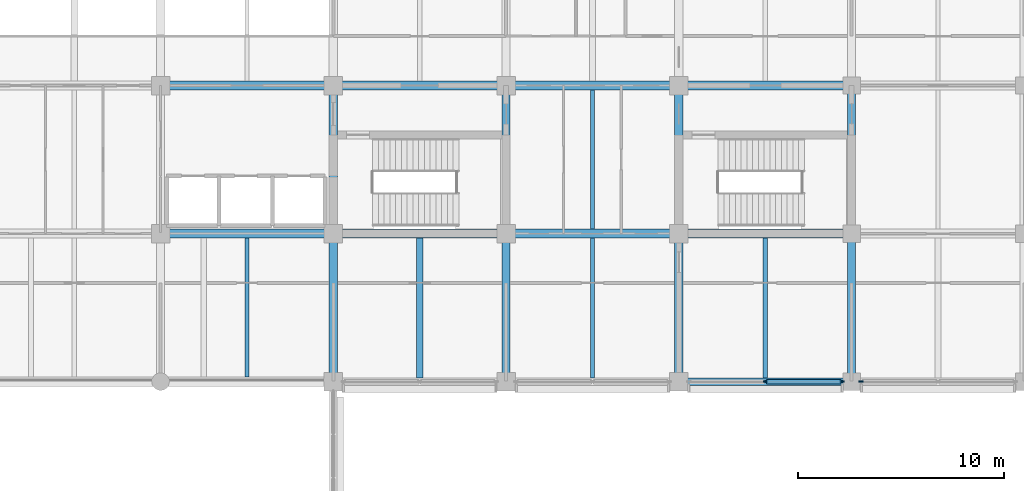
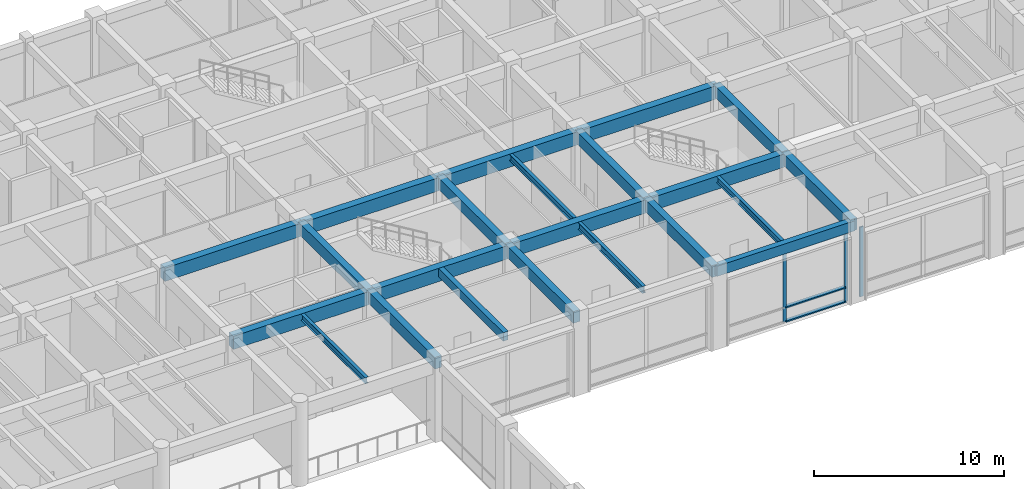
# One storey, part 17 of 68: 22 beams, 6 members, 2 elements without a shape of their own.
"""IFC4 building model written with IfcOpenShell, lengths in metres."""

from ifc_helpers import new_model, si_unit, direction, frame, origin, origin_2d, place, context, subcontext, project, spatial, rectangle, i_section, extrude, material, layer, layer_set, material_profile, profile_set, type_object, element, aggregate, save


model = new_model("IFC4")

# Units and contexts
model_context = context("Model", 3, precision=1e-05, world=origin(), true_north=direction((0.0, 1.0)))
body_context = subcontext(model_context, "Body", "Model", "MODEL_VIEW")
ifc_project = project(units=[si_unit("LENGTHUNIT", "METRE"), si_unit("AREAUNIT", "SQUARE_METRE"), si_unit("VOLUMEUNIT", "CUBIC_METRE"), si_unit("PLANEANGLEUNIT", "RADIAN"), si_unit("MASSUNIT", "GRAM", prefix="KILO")], contexts=[model_context])

# Site, building, storey
site_placement = place(None, origin())
site = spatial("IfcSite", under=ifc_project, at=site_placement, CompositionType="ELEMENT")
building_placement = place(site_placement, origin())
building = spatial("IfcBuilding", under=site, at=building_placement, Name="Chengyuan Square Courthouse", CompositionType="ELEMENT")
storey_placement = place(building_placement, frame((0.0, 0.0, 5.39990234375)))
storey = spatial("IfcBuildingStorey", under=building, at=storey_placement, Name="L02", CompositionType="ELEMENT", Elevation=5.39990234375)

# Beams
ifc_material_1 = material(Name="Concrete C40", Category="concrete")
ifc_material_profile_1 = material_profile(ifc_material_1, rectangle(XDim=0.449951171875, YDim=0.85009765625, at=origin_2d()), Name="RC-BM-450x850")
ifc_profile_set_1 = profile_set([ifc_material_profile_1], Name="Concrete C40")
beam_type_1 = type_object("IfcBeamType", Name="BM-01", PredefinedType="USERDEFINED", material=ifc_profile_set_1)
beam_1_placement = place(storey_placement, frame((92.39990234375, 86.39990234375, 4.695068359375), z_axis=(1.0, 0.0, 0.0), x_axis=(0.0, 1.0, 0.0)))
element("IfcBeam", 1, at=beam_1_placement, inside=storey, type_object=beam_type_1, Name="Girder BM-L02-2150", ObjectType="GIRDER", PredefinedType="USERDEFINED", context=body_context, shape_type="SweptSolid", body=[
    extrude(rectangle(XDim=0.449951171875, YDim=0.85009765625, at=origin_2d()), origin(), (0.0, 0.0, 1.0), 8.400146484375),
])
beam_2_placement = place(storey_placement, frame((100.800048828125, 86.39990234375, 4.695068359375), z_axis=(1.0, 0.0, 0.0), x_axis=(0.0, 1.0, 0.0)))
element("IfcBeam", 2, at=beam_2_placement, inside=storey, type_object=beam_type_1, Name="Girder BM-L02-2151", ObjectType="GIRDER", PredefinedType="USERDEFINED", context=body_context, shape_type="SweptSolid", body=[
    extrude(rectangle(XDim=0.449951171875, YDim=0.85009765625, at=origin_2d()), origin(), (0.0, 0.0, 1.0), 8.39990234375),
])
beam_3_placement = place(storey_placement, frame((109.199951171875, 86.39990234375, 4.695068359375), z_axis=(1.0, 0.0, 0.0), x_axis=(0.0, 1.0, 0.0)))
element("IfcBeam", 3, at=beam_3_placement, inside=storey, type_object=beam_type_1, Name="Girder BM-L02-2152", ObjectType="GIRDER", PredefinedType="USERDEFINED", context=body_context, shape_type="SweptSolid", body=[
    extrude(rectangle(XDim=0.449951171875, YDim=0.85009765625, at=origin_2d()), origin(), (0.0, 0.0, 1.0), 8.400146484375),
])
beam_4_placement = place(storey_placement, frame((117.60009765625, 86.39990234375, 4.695068359375), z_axis=(1.0, 0.0, 0.0), x_axis=(0.0, 1.0, 0.0)))
element("IfcBeam", 4, at=beam_4_placement, inside=storey, type_object=beam_type_1, Name="Girder BM-L02-2153", ObjectType="GIRDER", PredefinedType="USERDEFINED", context=body_context, shape_type="SweptSolid", body=[
    extrude(rectangle(XDim=0.449951171875, YDim=0.85009765625, at=origin_2d()), origin(), (0.0, 0.0, 1.0), 8.39990234375),
])
beam_5_placement = place(storey_placement, frame((92.39990234375, 93.60009765625, 4.695068359375), z_axis=(1.0, 0.0, 0.0), x_axis=(0.0, 1.0, 0.0)))
element("IfcBeam", 5, at=beam_5_placement, inside=storey, type_object=beam_type_1, Name="Girder BM-L02-2170", ObjectType="GIRDER", PredefinedType="USERDEFINED", context=body_context, shape_type="SweptSolid", body=[
    extrude(rectangle(XDim=0.449951171875, YDim=0.85009765625, at=origin_2d()), origin(), (0.0, 0.0, 1.0), 8.400146484375),
])
beam_6_placement = place(storey_placement, frame((100.800048828125, 93.60009765625, 4.695068359375), z_axis=(1.0, 0.0, 0.0), x_axis=(0.0, 1.0, 0.0)))
element("IfcBeam", 6, at=beam_6_placement, inside=storey, type_object=beam_type_1, Name="Girder BM-L02-2171", ObjectType="GIRDER", PredefinedType="USERDEFINED", context=body_context, shape_type="SweptSolid", body=[
    extrude(rectangle(XDim=0.449951171875, YDim=0.85009765625, at=origin_2d()), origin(), (0.0, 0.0, 1.0), 8.39990234375),
])
beam_7_placement = place(storey_placement, frame((109.199951171875, 93.60009765625, 4.695068359375), z_axis=(1.0, 0.0, 0.0), x_axis=(0.0, 1.0, 0.0)))
element("IfcBeam", 7, at=beam_7_placement, inside=storey, type_object=beam_type_1, Name="Girder BM-L02-2172", ObjectType="GIRDER", PredefinedType="USERDEFINED", context=body_context, shape_type="SweptSolid", body=[
    extrude(rectangle(XDim=0.449951171875, YDim=0.85009765625, at=origin_2d()), origin(), (0.0, 0.0, 1.0), 8.400146484375),
])
beam_8_placement = place(storey_placement, frame((117.60009765625, 93.60009765625, 4.695068359375), z_axis=(1.0, 0.0, 0.0), x_axis=(0.0, 1.0, 0.0)))
element("IfcBeam", 8, at=beam_8_placement, inside=storey, type_object=beam_type_1, Name="Girder BM-L02-2173", ObjectType="GIRDER", PredefinedType="USERDEFINED", context=body_context, shape_type="SweptSolid", body=[
    extrude(rectangle(XDim=0.449951171875, YDim=0.85009765625, at=origin_2d()), origin(), (0.0, 0.0, 1.0), 8.39990234375),
])
ifc_material_profile_2 = material_profile(ifc_material_1, rectangle(XDim=0.39990234375, YDim=0.75, at=origin_2d()), Name="RC-BM-400x750")
ifc_profile_set_2 = profile_set([ifc_material_profile_2], Name="Concrete C40")
beam_type_2 = type_object("IfcBeamType", Name="BM-02", PredefinedType="USERDEFINED", material=ifc_profile_set_2)
beam_9_placement = place(storey_placement, frame((100.800048828125, 79.199951171875, 4.7451171875), z_axis=(0.0, 1.0, 0.0), x_axis=(-1.0, 0.0, 0.0)))
element("IfcBeam", 9, at=beam_9_placement, inside=storey, type_object=beam_type_2, Name="Girder BM-L02-2318", ObjectType="GIRDER", PredefinedType="USERDEFINED", context=body_context, shape_type="SweptSolid", body=[
    extrude(rectangle(XDim=0.39990234375, YDim=0.75, at=origin_2d()), origin(), (0.0, 0.0, 1.0), 7.199951171875),
])
beam_10_placement = place(storey_placement, frame((100.800048828125, 86.39990234375, 4.7451171875), z_axis=(0.0, 1.0, 0.0), x_axis=(-1.0, 0.0, 0.0)))
element("IfcBeam", 10, at=beam_10_placement, inside=storey, type_object=beam_type_2, Name="Girder BM-L02-2319", ObjectType="GIRDER", PredefinedType="USERDEFINED", context=body_context, shape_type="SweptSolid", body=[
    extrude(rectangle(XDim=0.39990234375, YDim=0.75, at=origin_2d()), origin(), (0.0, 0.0, 1.0), 7.2001953125),
])
beam_11_placement = place(storey_placement, frame((109.199951171875, 79.199951171875, 4.7451171875), z_axis=(0.0, 1.0, 0.0), x_axis=(-1.0, 0.0, 0.0)))
element("IfcBeam", 11, at=beam_11_placement, inside=storey, type_object=beam_type_2, Name="Girder BM-L02-2323", ObjectType="GIRDER", PredefinedType="USERDEFINED", context=body_context, shape_type="SweptSolid", body=[
    extrude(rectangle(XDim=0.39990234375, YDim=0.75, at=origin_2d()), origin(), (0.0, 0.0, 1.0), 7.199951171875),
])
beam_12_placement = place(storey_placement, frame((109.199951171875, 86.39990234375, 4.7451171875), z_axis=(0.0, 1.0, 0.0), x_axis=(-1.0, 0.0, 0.0)))
element("IfcBeam", 12, at=beam_12_placement, inside=storey, type_object=beam_type_2, Name="Girder BM-L02-2324", ObjectType="GIRDER", PredefinedType="USERDEFINED", context=body_context, shape_type="SweptSolid", body=[
    extrude(rectangle(XDim=0.39990234375, YDim=0.75, at=origin_2d()), origin(), (0.0, 0.0, 1.0), 7.2001953125),
])
beam_13_placement = place(storey_placement, frame((117.60009765625, 79.199951171875, 4.7451171875), z_axis=(0.0, 1.0, 0.0), x_axis=(-1.0, 0.0, 0.0)))
element("IfcBeam", 13, at=beam_13_placement, inside=storey, type_object=beam_type_2, Name="Girder BM-L02-2328", ObjectType="GIRDER", PredefinedType="USERDEFINED", context=body_context, shape_type="SweptSolid", body=[
    extrude(rectangle(XDim=0.39990234375, YDim=0.75, at=origin_2d()), origin(), (0.0, 0.0, 1.0), 7.199951171875),
])
beam_14_placement = place(storey_placement, frame((117.60009765625, 86.39990234375, 4.7451171875), z_axis=(0.0, 1.0, 0.0), x_axis=(-1.0, 0.0, 0.0)))
element("IfcBeam", 14, at=beam_14_placement, inside=storey, type_object=beam_type_2, Name="Girder BM-L02-2329", ObjectType="GIRDER", PredefinedType="USERDEFINED", context=body_context, shape_type="SweptSolid", body=[
    extrude(rectangle(XDim=0.39990234375, YDim=0.75, at=origin_2d()), origin(), (0.0, 0.0, 1.0), 7.2001953125),
])
beam_15_placement = place(storey_placement, frame((126.0, 79.199951171875, 4.7451171875), z_axis=(0.0, 1.0, 0.0), x_axis=(-1.0, 0.0, 0.0)))
element("IfcBeam", 15, at=beam_15_placement, inside=storey, type_object=beam_type_2, Name="Girder BM-L02-2333", ObjectType="GIRDER", PredefinedType="USERDEFINED", context=body_context, shape_type="SweptSolid", body=[
    extrude(rectangle(XDim=0.39990234375, YDim=0.75, at=origin_2d()), origin(), (0.0, 0.0, 1.0), 7.199951171875),
])
beam_16_placement = place(storey_placement, frame((126.0, 86.39990234375, 4.7451171875), z_axis=(0.0, 1.0, 0.0), x_axis=(-1.0, 0.0, 0.0)))
element("IfcBeam", 16, at=beam_16_placement, inside=storey, type_object=beam_type_2, Name="Girder BM-L02-2334", ObjectType="GIRDER", PredefinedType="USERDEFINED", context=body_context, shape_type="SweptSolid", body=[
    extrude(rectangle(XDim=0.39990234375, YDim=0.75, at=origin_2d()), origin(), (0.0, 0.0, 1.0), 7.2001953125),
])
ifc_material_profile_3 = material_profile(ifc_material_1, rectangle(XDim=0.35009765625, YDim=0.64990234375, at=origin_2d()), Name="RC-BM-350x650")
ifc_profile_set_3 = profile_set([ifc_material_profile_3], Name="Concrete C40")
beam_type_3 = type_object("IfcBeamType", Name="BM-03", PredefinedType="SPANDREL", material=ifc_profile_set_3)
beam_17_placement = place(storey_placement, frame((117.60009765625, 79.199951171875, 4.795166015625), z_axis=(1.0, 0.0, 0.0), x_axis=(0.0, 1.0, 0.0)))
element("IfcBeam", 17, at=beam_17_placement, inside=storey, type_object=beam_type_3, Name="Girder BM-L02-2133", PredefinedType="SPANDREL", context=body_context, shape_type="SweptSolid", body=[
    extrude(rectangle(XDim=0.35009765625, YDim=0.64990234375, at=origin_2d()), origin(), (0.0, 0.0, 1.0), 8.39990234375),
])
ifc_material_profile_4 = material_profile(ifc_material_1, rectangle(XDim=0.300048828125, YDim=0.550048828125, at=origin_2d()), Name="RC-BM-300x550")
ifc_profile_set_4 = profile_set([ifc_material_profile_4], Name="Concrete C40")
beam_type_4 = type_object("IfcBeamType", Name="BM-04", PredefinedType="BEAM", material=ifc_profile_set_4)
beam_18_placement = place(storey_placement, frame((105.0, 79.375, 4.84521484375), z_axis=(0.0, 1.0, 0.0), x_axis=(-1.0, 0.0, 0.0)))
element("IfcBeam", 18, at=beam_18_placement, inside=storey, type_object=beam_type_4, Name="Secondary Floor Beam SBM-L02-2457", PredefinedType="BEAM", context=body_context, shape_type="SweptSolid", body=[
    extrude(rectangle(XDim=0.300048828125, YDim=0.550048828125, at=origin_2d()), origin(), (0.0, 0.0, 1.0), 6.800048828125),
])
ifc_material_2 = material(Name="Steel Q355B", Category="steel")
ifc_material_profile_5 = material_profile(ifc_material_2, i_section(OverallWidth=0.199951171875, OverallDepth=0.449951171875, WebThickness=0.009033203125, FlangeThickness=0.013916015625, at=origin_2d()), Name="HN 450x200x9x14")
ifc_profile_set_5 = profile_set([ifc_material_profile_5], Name="Steel Q355B")
beam_type_5 = type_object("IfcBeamType", Name="BM-06", PredefinedType="BEAM", material=ifc_profile_set_5)
beam_19_placement = place(storey_placement, frame((113.39990234375, 79.375, 4.89501953125), z_axis=(0.0, 1.0, 0.0), x_axis=(-1.0, 0.0, 0.0)))
element("IfcBeam", 19, at=beam_19_placement, inside=storey, type_object=beam_type_5, Name="Secondary Floor Beam SBM-L02-2460", PredefinedType="BEAM", context=body_context, shape_type="SweptSolid", body=[
    extrude(i_section(OverallWidth=0.199951171875, OverallDepth=0.449951171875, WebThickness=0.009033203125, FlangeThickness=0.013916015625, at=origin_2d()), origin(), (0.0, 0.0, 1.0), 6.800048828125),
])
ifc_material_profile_6 = material_profile(ifc_material_2, i_section(OverallWidth=0.199951171875, OverallDepth=0.39990234375, WebThickness=0.008056640625, FlangeThickness=0.012939453125, at=origin_2d()), Name="HN 400x200x8x13")
ifc_profile_set_6 = profile_set([ifc_material_profile_6], Name="Steel Q355B")
beam_type_6 = type_object("IfcBeamType", Name="BM-07", PredefinedType="BEAM", material=ifc_profile_set_6)
for number, where, z_axis, x_axis, name in (
    (20, (96.60009765625, 79.425048828125, 4.920166015625), (0.0, 1.0, 0.0), (-1.0, 0.0, 0.0), "Secondary Floor Beam SBM-L02-2453"),
    (21, (113.39990234375, 86.625, 4.920166015625), (0.0, 1.0, 0.0), (-1.0, 0.0, 0.0), "Secondary Floor Beam SBM-L02-2461"),
):
    element("IfcBeam", number, at=place(storey_placement, frame(where, z_axis=z_axis, x_axis=x_axis)), inside=storey, type_object=beam_type_6, Name=name, PredefinedType="BEAM", context=body_context, shape_type="SweptSolid", body=[
        extrude(i_section(OverallWidth=0.199951171875, OverallDepth=0.39990234375, WebThickness=0.008056640625, FlangeThickness=0.012939453125, at=origin_2d()), origin(), (0.0, 0.0, 1.0), 6.75),
    ])
beam_20_placement = place(storey_placement, frame((121.800048828125, 79.375, 4.920166015625), z_axis=(0.0, 1.0, 0.0), x_axis=(-1.0, 0.0, 0.0)))
element("IfcBeam", 22, at=beam_20_placement, inside=storey, type_object=beam_type_6, Name="Secondary Floor Beam SBM-L02-2465", PredefinedType="BEAM", context=body_context, shape_type="SweptSolid", body=[
    extrude(i_section(OverallWidth=0.199951171875, OverallDepth=0.39990234375, WebThickness=0.008056640625, FlangeThickness=0.012939453125, at=origin_2d()), origin(), (0.0, 0.0, 1.0), 6.800048828125),
])

# Curtain wall, members
ifc_material_3 = material(Name="Unitised Aluminium and Triple Low-E Glass", Category="aluminium")
ifc_layer = layer(ifc_material_3, 0.219970703125)
ifc_layer_set = layer_set([ifc_layer], Name="Unitised Aluminium and Triple Low-E Glass")
curtain_wall_type = type_object("IfcCurtainWallType", Name="CW-04", PredefinedType="USERDEFINED", material=ifc_layer_set)
curtain_wall_1_placement = place(storey_placement, origin())
curtain_wall_1 = element("IfcCurtainWall", 23, at=curtain_wall_1_placement, inside=storey, type_object=curtain_wall_type, Name="Unitised Curtain Wall CW-L02-071", ObjectType="UNITISED CURTAIN WALL", PredefinedType="USERDEFINED")
ifc_material_4 = material(Name="Aluminium 6063-T6 Frame", Category="aluminium")
ifc_material_profile_7 = material_profile(ifc_material_4, rectangle(XDim=0.080078125, YDim=0.219970703125, at=origin_2d()), Name="CW-MUL-80x220")
ifc_profile_set_7 = profile_set([ifc_material_profile_7], Name="Aluminium 6063-T6 Frame")
member_type_1 = type_object("IfcMemberType", Name="CWM-04", PredefinedType="MULLION", material=ifc_profile_set_7)
member_1_placement = place(storey_placement, frame((121.8125, 79.199951171875, 0.0), z_axis=(0.0, 0.0, 1.0), x_axis=(0.0, 1.0, 0.0)))
member_1 = element("IfcMember", 24, at=member_1_placement, type_object=member_type_1, Name="CW-04 mullion 2", PredefinedType="MULLION", context=body_context, shape_type="SweptSolid", body=[
    extrude(rectangle(XDim=0.080078125, YDim=0.219970703125, at=origin_2d()), origin(), (0.0, 0.0, 1.0), 4.47021484375),
])
member_2_placement = place(storey_placement, frame((125.534912109375, 79.199951171875, 0.0), z_axis=(0.0, 0.0, 1.0), x_axis=(0.0, 1.0, 0.0)))
member_2 = element("IfcMember", 25, at=member_2_placement, type_object=member_type_1, Name="CW-04 mullion 3", PredefinedType="MULLION", context=body_context, shape_type="SweptSolid", body=[
    extrude(rectangle(XDim=0.080078125, YDim=0.219970703125, at=origin_2d()), origin(), (0.0, 0.0, 1.0), 4.47021484375),
])

# Curtain wall, member
curtain_wall_2_placement = place(storey_placement, origin())
curtain_wall_2 = element("IfcCurtainWall", 26, at=curtain_wall_2_placement, inside=storey, type_object=curtain_wall_type, Name="Unitised Curtain Wall CW-L02-072", ObjectType="UNITISED CURTAIN WALL", PredefinedType="USERDEFINED")
member_3_placement = place(storey_placement, frame((126.465087890625, 79.199951171875, 0.0), z_axis=(0.0, 0.0, 1.0), x_axis=(0.0, 1.0, 0.0)))
member_3 = element("IfcMember", 27, at=member_3_placement, type_object=member_type_1, Name="CW-04 mullion 1", PredefinedType="MULLION", context=body_context, shape_type="SweptSolid", body=[
    extrude(rectangle(XDim=0.080078125, YDim=0.219970703125, at=origin_2d()), origin(), (0.0, 0.0, 1.0), 4.47021484375),
])
aggregate(curtain_wall_2, [member_3])

# Member
ifc_material_profile_8 = material_profile(ifc_material_4, rectangle(XDim=0.219970703125, YDim=0.080078125, at=origin_2d()), Name="CW-TRN-80x180")
ifc_profile_set_8 = profile_set([ifc_material_profile_8], Name="Aluminium 6063-T6 Frame")
member_type_2 = type_object("IfcMemberType", Name="CWT-04", PredefinedType="USERDEFINED", material=ifc_profile_set_8)
member_4_placement = place(storey_placement, frame((121.8525390625, 79.199951171875, 0.0400390625), z_axis=(1.0, 0.0, 0.0), x_axis=(0.0, 1.0, 0.0)))
member_4 = element("IfcMember", 28, at=member_4_placement, type_object=member_type_2, Name="CW-04 transom 2.1", ObjectType="TRANSOM", PredefinedType="USERDEFINED", context=body_context, shape_type="SweptSolid", body=[
    extrude(rectangle(XDim=0.219970703125, YDim=0.080078125, at=origin_2d()), origin(), (0.0, 0.0, 1.0), 3.642578125),
])

member_5_placement = place(storey_placement, frame((121.8525390625, 79.199951171875, 0.9501953125), z_axis=(1.0, 0.0, 0.0), x_axis=(0.0, 1.0, 0.0)))
member_5 = element("IfcMember", 29, at=member_5_placement, type_object=member_type_2, Name="CW-04 transom 2.2", ObjectType="TRANSOM", PredefinedType="USERDEFINED", context=body_context, shape_type="SweptSolid", body=[
    extrude(rectangle(XDim=0.219970703125, YDim=0.080078125, at=origin_2d()), origin(), (0.0, 0.0, 1.0), 3.642578125),
])

member_6_placement = place(storey_placement, frame((121.8525390625, 79.199951171875, 4.43017578125), z_axis=(1.0, 0.0, 0.0), x_axis=(0.0, 1.0, 0.0)))
member_6 = element("IfcMember", 30, at=member_6_placement, type_object=member_type_2, Name="CW-04 transom 2.3", ObjectType="TRANSOM", PredefinedType="USERDEFINED", context=body_context, shape_type="SweptSolid", body=[
    extrude(rectangle(XDim=0.219970703125, YDim=0.080078125, at=origin_2d()), origin(), (0.0, 0.0, 1.0), 3.642578125),
])

aggregate(curtain_wall_1, [member_1, member_2, member_4, member_5, member_6])

save(model, "model.ifc")
